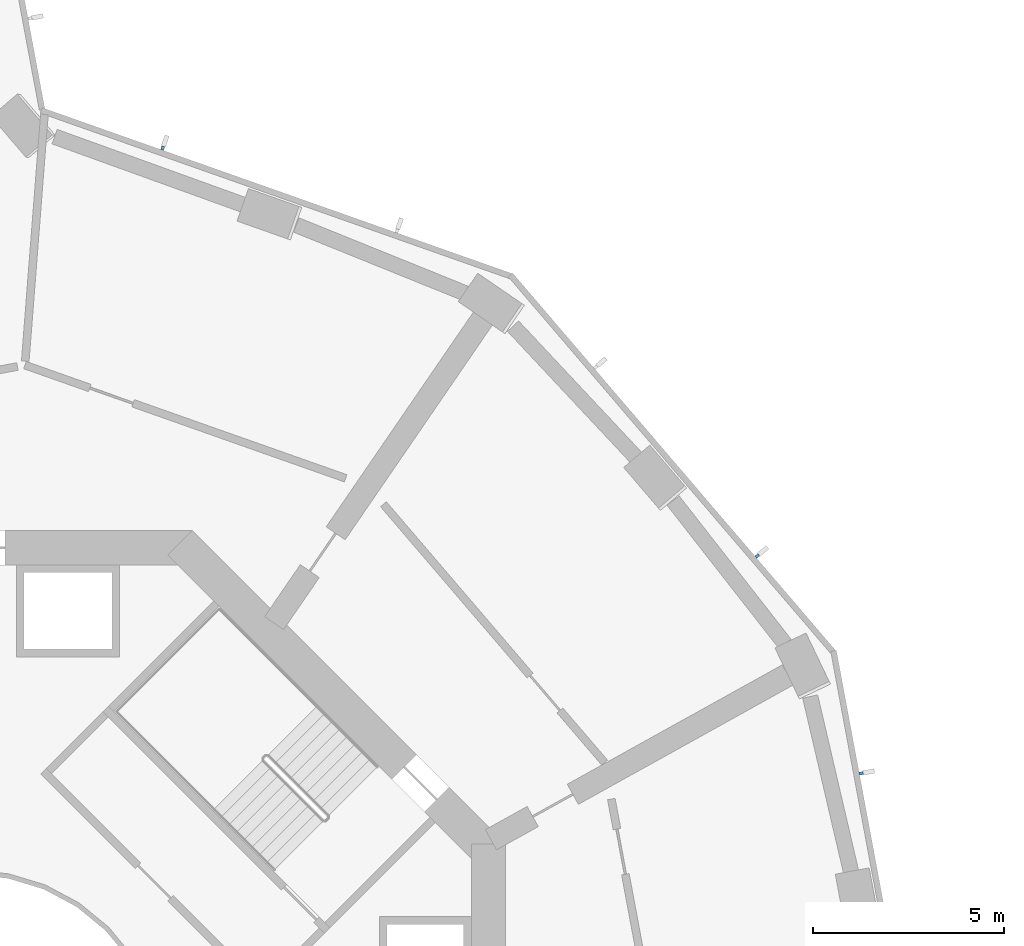
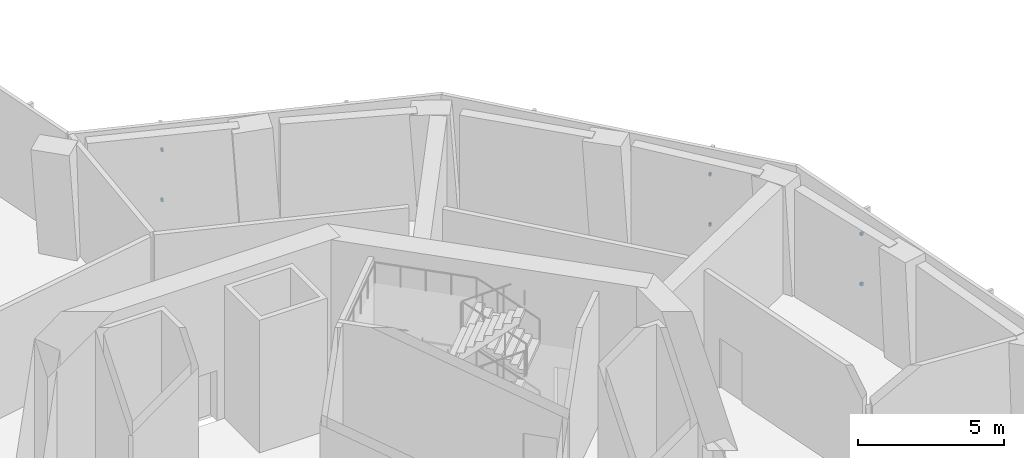
# One storey, part 12 of 20: 6 discrete accessories.
"""IFC4 building model written with IfcOpenShell, lengths in metres."""

from ifc_helpers import new_model, si_unit, direction, frame, origin, origin_2d, place, context, subcontext, project, spatial, rectangle, extrude, element, save


model = new_model("IFC4")

# Units and contexts
model_context = context("Model", 3, precision=1e-05, world=origin(), true_north=direction((0.0, 1.0)))
body_context = subcontext(model_context, "Body", "Model", "MODEL_VIEW")
ifc_project = project(units=[si_unit("LENGTHUNIT", "METRE"), si_unit("AREAUNIT", "SQUARE_METRE"), si_unit("VOLUMEUNIT", "CUBIC_METRE"), si_unit("PLANEANGLEUNIT", "RADIAN"), si_unit("MASSUNIT", "GRAM", prefix="KILO")], contexts=[model_context])

# Site, building, storey
site_placement = place(None, origin())
site = spatial("IfcSite", under=ifc_project, at=site_placement, CompositionType="ELEMENT")
building_placement = place(site_placement, origin())
building = spatial("IfcBuilding", under=site, at=building_placement, Name="Verdalira Terraces Hotel", CompositionType="ELEMENT")
storey_placement = place(building_placement, frame((0.0, 0.0, 75.0)))
storey = spatial("IfcBuildingStorey", under=building, at=storey_placement, Name="L17", CompositionType="ELEMENT", Elevation=75.0)

# Discrete accessories
for number, where, z_axis, x_axis, name in (
    (1, (23.301025, 7.649902, 1.139893), (0.0, 0.0, 1.0), (-0.183265088, 0.983063532, 0.0), "Fin bracket"),
    (2, (23.301025, 7.649902, 3.23999), (0.0, 0.0, 1.0), (-0.183265088, 0.983063532, 0.0), "Fin bracket"),
    (3, (20.581055, 13.337158, 1.139893), (0.0, 0.0, 1.0), (-0.650243987, 0.759725448, 0.0), "Fin bracket"),
    (4, (20.581055, 13.337158, 3.23999), (0.0, 0.0, 1.0), (-0.650243987, 0.759725448, 0.0), "Fin bracket"),
    (5, (5.025635, 24.00415, 1.139893), (0.0, 0.0, 1.0), (-0.942990536, 0.332819545, 0.0), "Fin bracket"),
    (6, (5.025635, 24.00415, 3.23999), (0.0, 0.0, 1.0), (-0.942990536, 0.332819545, 0.0), "Fin bracket"),
):
    element("IfcDiscreteAccessory", number, at=place(storey_placement, frame(where, z_axis=z_axis, x_axis=x_axis)), inside=storey, Name=name, PredefinedType="BRACKET", context=body_context, shape_type="SweptSolid", body=[
        extrude(rectangle(XDim=0.080078, YDim=0.100098, at=origin_2d()), origin(), (0.0, 0.0, 1.0), 0.120117),
    ])

save(model, "model.ifc")
